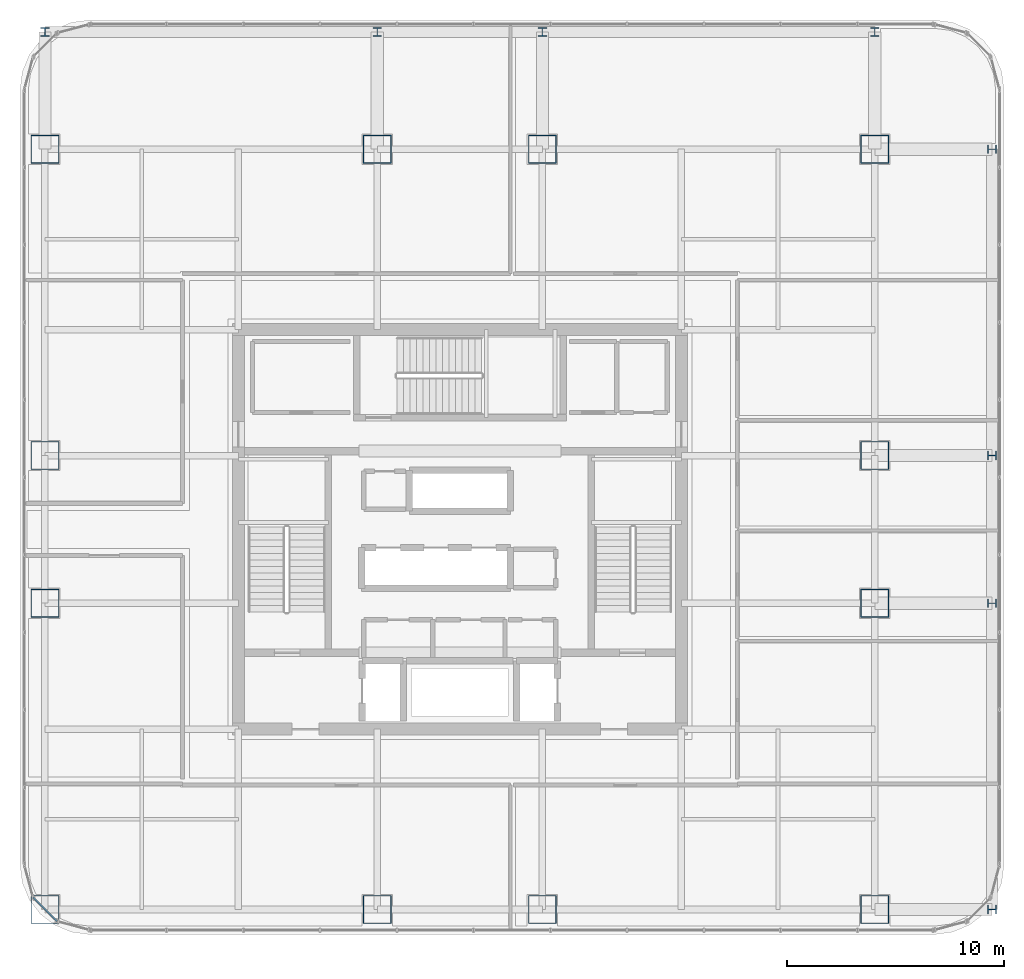
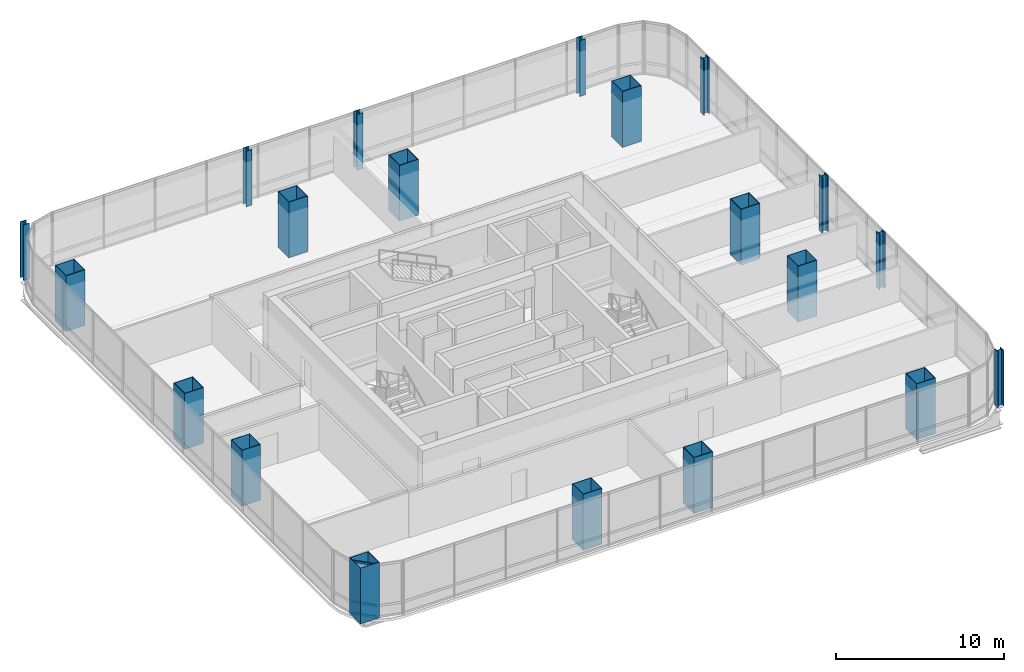
# One storey, part 1 of 39: 20 columns, 3 members, 1 element without a shape of its own.
"""IFC4 building model written with IfcOpenShell, lengths in metres."""

from ifc_helpers import new_model, si_unit, direction, frame, origin, origin_2d, place, context, subcontext, project, spatial, hollow_rectangle, i_section, extrude, material, material_profile, profile_set, type_object, element, aggregate, save


model = new_model("IFC4")

# Units and contexts
model_context = context("Model", 3, precision=1e-05, world=origin(), true_north=direction((0.0, 1.0)))
body_context = subcontext(model_context, "Body", "Model", "MODEL_VIEW")
ifc_project = project(units=[si_unit("LENGTHUNIT", "METRE"), si_unit("AREAUNIT", "SQUARE_METRE"), si_unit("VOLUMEUNIT", "CUBIC_METRE"), si_unit("PLANEANGLEUNIT", "RADIAN"), si_unit("MASSUNIT", "GRAM", prefix="KILO")], contexts=[model_context])

# Site, building, storey
site_placement = place(None, origin())
site = spatial("IfcSite", under=ifc_project, at=site_placement, CompositionType="ELEMENT")
building_placement = place(site_placement, origin())
building = spatial("IfcBuilding", under=site, at=building_placement, Name="Punatoya Terracotta Tower", CompositionType="ELEMENT")
storey_placement = place(building_placement, frame((0.0, 0.0, 275.699951171875)))
storey = spatial("IfcBuildingStorey", under=building, at=storey_placement, Name="L65", CompositionType="ELEMENT", Elevation=275.699951171875)

# Columns
ifc_material_1 = material(Name="Steel S460", Category="steel")
ifc_material_profile_1 = material_profile(ifc_material_1, i_section(OverallWidth=0.406005859375, OverallDepth=0.416015625, WebThickness=0.029052734375, FlangeThickness=0.048095703125, FilletRadius=0.01806640625, at=origin_2d()))
ifc_profile_set_1 = profile_set([ifc_material_profile_1], Name="Steel S460")
column_type_1 = type_object("IfcColumnType", Name="COL-EX-M3", PredefinedType="COLUMN", material=ifc_profile_set_1)
for number, where, z_axis, x_axis, name in (
    (1, (-19.10009765625, 22.89990234375, 0.0), (0.0, 0.0, 1.0), (1.0, 0.0, 0.0), "L65 Exoskeleton Perimeter Column N1"),
    (2, (-3.800048828125, 22.89990234375, 0.0), (0.0, 0.0, 1.0), (1.0, 0.0, 0.0), "L65 Exoskeleton Perimeter Column N2"),
    (3, (3.800048828125, 22.89990234375, 0.0), (0.0, 0.0, 1.0), (1.0, 0.0, 0.0), "L65 Exoskeleton Perimeter Column N3"),
    (4, (19.10009765625, 22.89990234375, 0.0), (0.0, 0.0, 1.0), (1.0, 0.0, 0.0), "L65 Exoskeleton Perimeter Column N4"),
    (5, (24.5, -17.5, 0.0), (0.0, 0.0, 1.0), (0.0, 1.0, 0.0), "L65 Exoskeleton Perimeter Column E1"),
    (6, (24.5, -3.39990234375, 0.0), (0.0, 0.0, 1.0), (0.0, 1.0, 0.0), "L65 Exoskeleton Perimeter Column E2"),
    (7, (24.5, 3.39990234375, 0.0), (0.0, 0.0, 1.0), (0.0, 1.0, 0.0), "L65 Exoskeleton Perimeter Column E3"),
    (8, (24.5, 17.5, 0.0), (0.0, 0.0, 1.0), (0.0, 1.0, 0.0), "L65 Exoskeleton Perimeter Column E4"),
):
    element("IfcColumn", number, at=place(storey_placement, frame(where, z_axis=z_axis, x_axis=x_axis)), inside=storey, type_object=column_type_1, Name=name, PredefinedType="COLUMN", context=body_context, shape_type="SweptSolid", body=[
        extrude(i_section(OverallWidth=0.406005859375, OverallDepth=0.416015625, WebThickness=0.029052734375, FlangeThickness=0.048095703125, FilletRadius=0.01806640625, at=origin_2d()), origin(), (0.0, 0.0, 1.0), 4.048095703125),
    ])
ifc_material_profile_2 = material_profile(ifc_material_1, hollow_rectangle(XDim=1.300048828125, YDim=1.300048828125, WallThickness=0.0380859375, at=origin_2d()))
ifc_profile_set_2 = profile_set([ifc_material_profile_2], Name="Steel S460")
column_type_2 = type_object("IfcColumnType", Name="COL-MC-Z3", PredefinedType="COLUMN", material=ifc_profile_set_2)
for number, where, z_axis, x_axis, name in (
    (9, (-19.10009765625, -17.5, 0.0), (0.0, 0.0, 1.0), (1.0, 0.0, 0.0), "L65 Composite Mega-Column MC-01 (3-B)"),
    (10, (-3.800048828125, -17.5, 0.0), (0.0, 0.0, 1.0), (1.0, 0.0, 0.0), "L65 Composite Mega-Column MC-02 (5-B)"),
    (11, (3.800048828125, -17.5, 0.0), (0.0, 0.0, 1.0), (1.0, 0.0, 0.0), "L65 Composite Mega-Column MC-03 (7-B)"),
    (12, (19.10009765625, -17.5, 0.0), (0.0, 0.0, 1.0), (1.0, 0.0, 0.0), "L65 Composite Mega-Column MC-04 (9-B)"),
    (13, (19.10009765625, -3.39990234375, 0.0), (0.0, 0.0, 1.0), (1.0, 0.0, 0.0), "L65 Composite Mega-Column MC-05 (9-D)"),
    (14, (19.10009765625, 3.39990234375, 0.0), (0.0, 0.0, 1.0), (1.0, 0.0, 0.0), "L65 Composite Mega-Column MC-06 (9-E)"),
    (15, (19.10009765625, 17.5, 0.0), (0.0, 0.0, 1.0), (1.0, 0.0, 0.0), "L65 Composite Mega-Column MC-07 (9-G)"),
    (16, (3.800048828125, 17.5, 0.0), (0.0, 0.0, 1.0), (1.0, 0.0, 0.0), "L65 Composite Mega-Column MC-08 (7-G)"),
    (17, (-3.800048828125, 17.5, 0.0), (0.0, 0.0, 1.0), (1.0, 0.0, 0.0), "L65 Composite Mega-Column MC-09 (5-G)"),
    (18, (-19.10009765625, 17.5, 0.0), (0.0, 0.0, 1.0), (1.0, 0.0, 0.0), "L65 Composite Mega-Column MC-10 (3-G)"),
    (19, (-19.10009765625, 3.39990234375, 0.0), (0.0, 0.0, 1.0), (1.0, 0.0, 0.0), "L65 Composite Mega-Column MC-11 (3-E)"),
    (20, (-19.10009765625, -3.39990234375, 0.0), (0.0, 0.0, 1.0), (1.0, 0.0, 0.0), "L65 Composite Mega-Column MC-12 (3-D)"),
):
    element("IfcColumn", number, at=place(storey_placement, frame(where, z_axis=z_axis, x_axis=x_axis)), inside=storey, type_object=column_type_2, Name=name, PredefinedType="COLUMN", context=body_context, shape_type="SweptSolid", body=[
        extrude(hollow_rectangle(XDim=1.300048828125, YDim=1.300048828125, WallThickness=0.0380859375, at=origin_2d()), origin(), (0.0, 0.0, 1.0), 4.050048828125),
    ])

# Curtain wall, members
ifc_material_2 = material(Name="Aluminium 6063-T6 + Double Low-E Glass", Category="aluminium")
curtain_wall_type = type_object("IfcCurtainWallType", Name="CW-M3", PredefinedType="NOTDEFINED", material=ifc_material_2)
curtain_wall_placement = place(storey_placement, origin())
curtain_wall = element("IfcCurtainWall", 21, at=curtain_wall_placement, inside=storey, type_object=curtain_wall_type, Name="L65 Curtain Wall CW-L65-CRN15", PredefinedType="NOTDEFINED")
ifc_material_3 = material(Name="Aluminium 6063-T6", Category="aluminium")
ifc_material_profile_3 = material_profile(ifc_material_3, hollow_rectangle(XDim=0.068115234375, YDim=0.14990234375, WallThickness=0.00390625, at=origin_2d()))
ifc_profile_set_3 = profile_set([ifc_material_profile_3], Name="Aluminium 6063-T6")
member_type = type_object("IfcMemberType", Name="CW-TRN-TYP", PredefinedType="USERDEFINED", material=ifc_profile_set_3)
member_1_placement = place(storey_placement, frame((-19.646484375, -16.94921875, 0.0400390625), z_axis=(0.707106781187, -0.707106781187, 0.0), x_axis=(0.707106781187, 0.707106781187, 0.0)))
member_1 = element("IfcMember", 22, at=member_1_placement, type_object=member_type, Name="CW-L65-CRN15 Transom 1", ObjectType="TRANSOM", PredefinedType="USERDEFINED", context=body_context, shape_type="SweptSolid", body=[
    extrude(hollow_rectangle(XDim=0.068115234375, YDim=0.14990234375, WallThickness=0.00390625, at=origin_2d()), origin(), (0.0, 0.0, 1.0), 1.552001953125),
])
member_2_placement = place(storey_placement, frame((-19.646484375, -16.94921875, 0.85009765625), z_axis=(0.707106781187, -0.707106781187, 0.0), x_axis=(0.707106781187, 0.707106781187, 0.0)))
member_2 = element("IfcMember", 23, at=member_2_placement, type_object=member_type, Name="CW-L65-CRN15 Transom 2", ObjectType="TRANSOM", PredefinedType="USERDEFINED", context=body_context, shape_type="SweptSolid", body=[
    extrude(hollow_rectangle(XDim=0.068115234375, YDim=0.14990234375, WallThickness=0.00390625, at=origin_2d()), origin(), (0.0, 0.0, 1.0), 1.552001953125),
])
member_3_placement = place(storey_placement, frame((-19.646484375, -16.94921875, 3.81005859375), z_axis=(0.707106781187, -0.707106781187, 0.0), x_axis=(0.707106781187, 0.707106781187, 0.0)))
member_3 = element("IfcMember", 24, at=member_3_placement, type_object=member_type, Name="CW-L65-CRN15 Transom 3", ObjectType="TRANSOM", PredefinedType="USERDEFINED", context=body_context, shape_type="SweptSolid", body=[
    extrude(hollow_rectangle(XDim=0.068115234375, YDim=0.14990234375, WallThickness=0.00390625, at=origin_2d()), origin(), (0.0, 0.0, 1.0), 1.552001953125),
])
aggregate(curtain_wall, [member_1, member_2, member_3])

save(model, "model.ifc")
